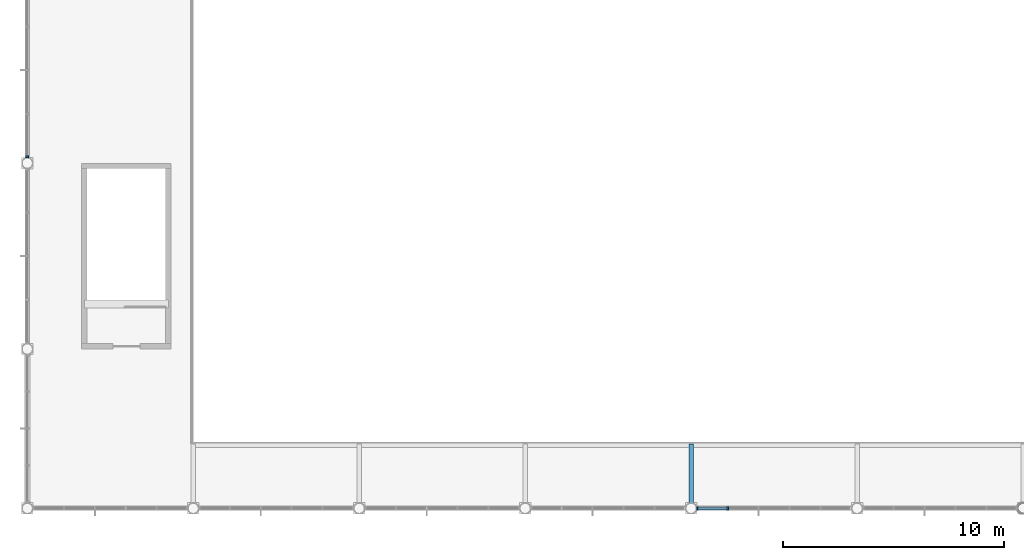
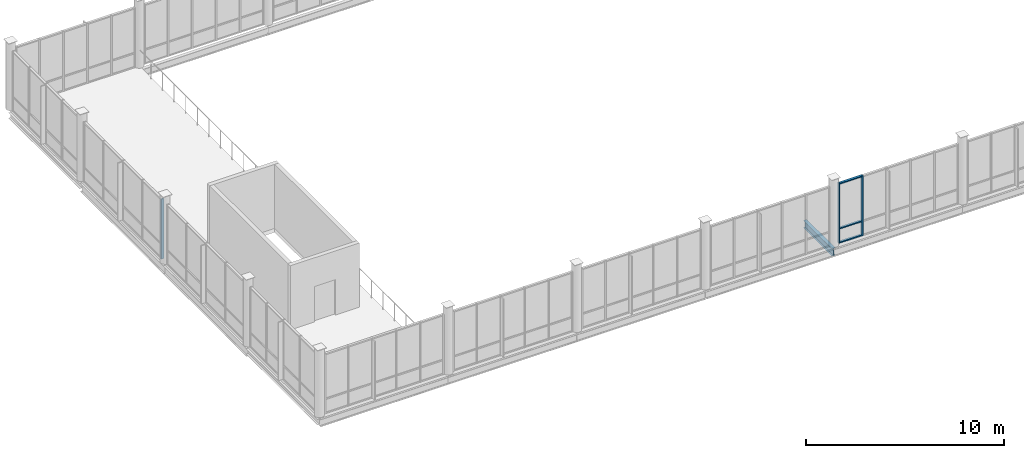
# One storey, part 17 of 75: 6 members, 1 beam, 2 elements without a shape of their own.
"""IFC4 building model written with IfcOpenShell, lengths in metres."""

from ifc_helpers import new_model, si_unit, direction, frame, origin, origin_2d, place, context, subcontext, project, spatial, rectangle, i_section, extrude, material, layer, layer_set, material_profile, profile_set, type_object, element, aggregate, save


model = new_model("IFC4")

# Units and contexts
model_context = context("Model", 3, precision=1e-05, world=origin(), true_north=direction((0.0, 1.0)))
body_context = subcontext(model_context, "Body", "Model", "MODEL_VIEW")
ifc_project = project(units=[si_unit("LENGTHUNIT", "METRE"), si_unit("AREAUNIT", "SQUARE_METRE"), si_unit("VOLUMEUNIT", "CUBIC_METRE"), si_unit("PLANEANGLEUNIT", "RADIAN"), si_unit("MASSUNIT", "GRAM", prefix="KILO")], contexts=[model_context])

# Site, building, storey
site_placement = place(None, origin())
site = spatial("IfcSite", under=ifc_project, at=site_placement, CompositionType="ELEMENT")
building_placement = place(site_placement, origin())
building = spatial("IfcBuilding", under=site, at=building_placement, Name="Yukiwa Park Conservatory and Herbarium", CompositionType="ELEMENT")
storey_placement = place(building_placement, frame((0.0, 0.0, 4.800048828125)))
storey = spatial("IfcBuildingStorey", under=building, at=storey_placement, Name="L01", CompositionType="ELEMENT", Elevation=4.800048828125)

# Beam
ifc_material_1 = material(Name="Steel Q355D", Category="steel")
ifc_material_profile = material_profile(ifc_material_1, i_section(OverallWidth=0.199951171875, OverallDepth=0.449951171875, WebThickness=0.009033203125, FlangeThickness=0.013916015625, FilletRadius=0.01806640625, at=origin_2d()), Name="HN 450x200x9x14")
ifc_profile_set = profile_set([ifc_material_profile], Name="Steel Q355D")
beam_type = type_object("IfcBeamType", Name="BM-GRD-HN450", PredefinedType="BEAM", material=ifc_profile_set)
beam_placement = place(storey_placement, frame((30.0, 0.006103515625, -0.465087890625), z_axis=(0.0, 1.0, 0.0), x_axis=(-1.0, 0.0, 0.0)))
element("IfcBeam", 1, at=beam_placement, inside=storey, type_object=beam_type, Name="Conservatory canopy walk cantilever bracket 4", PredefinedType="BEAM", context=body_context, shape_type="SweptSolid", body=[
    extrude(i_section(OverallWidth=0.199951171875, OverallDepth=0.449951171875, WebThickness=0.009033203125, FlangeThickness=0.013916015625, FilletRadius=0.01806640625, at=origin_2d()), origin(), (0.0, 0.0, 1.0), 2.893798828125),
])

# Curtain wall, members
ifc_material_2 = material(Name="Triple Low-E Insulated Glass", Category="glass")
ifc_layer_1 = layer(ifc_material_2, 0.152099609375)
ifc_layer_set_1 = layer_set([ifc_layer_1], Name="Triple Low-E Insulated Glass")
curtain_wall_type_1 = type_object("IfcCurtainWallType", Name="CW-CONSERVATORY-1500", PredefinedType="NOTDEFINED", material=ifc_layer_set_1)
curtain_wall_1_placement = place(storey_placement, origin())
curtain_wall_1 = element("IfcCurtainWall", 2, at=curtain_wall_1_placement, inside=storey, type_object=curtain_wall_type_1, Name="L01 unitised curtain wall CW-L01-030", PredefinedType="NOTDEFINED")
ifc_material_3 = material(Name="Anodised Aluminium", Category="aluminium")
member_type_1 = type_object("IfcMemberType", Name="MB-CW-MUL-70X150", PredefinedType="MULLION", material=ifc_material_3)
member_1_placement = place(storey_placement, frame((30.2890625, 0.0, 0.0), z_axis=(0.0, 0.0, 1.0), x_axis=(1.0, 0.0, 0.0)))
member_1 = element("IfcMember", 3, at=member_1_placement, type_object=member_type_1, Name="CW-L01-030 mullion 1", PredefinedType="MULLION", context=body_context, shape_type="SweptSolid", body=[
    extrude(rectangle(XDim=0.070068359375, YDim=0.14990234375, at=origin_2d()), origin(), (0.0, 0.0, 1.0), 3.699951171875),
])
member_2_placement = place(storey_placement, frame((31.65234375, 0.0, 0.0), z_axis=(0.0, 0.0, 1.0), x_axis=(1.0, 0.0, 0.0)))
member_2 = element("IfcMember", 4, at=member_2_placement, type_object=member_type_1, Name="CW-L01-030 mullion 2", PredefinedType="MULLION", context=body_context, shape_type="SweptSolid", body=[
    extrude(rectangle(XDim=0.070068359375, YDim=0.14990234375, at=origin_2d()), origin(), (0.0, 0.0, 1.0), 3.699951171875),
])

# Curtain wall, member
ifc_material_4 = material(Name="Triple Low-E Insulated Glass", Category="glass")
ifc_layer_2 = layer(ifc_material_4, 0.1640625)
ifc_layer_set_2 = layer_set([ifc_layer_2], Name="Triple Low-E Insulated Glass")
curtain_wall_type_2 = type_object("IfcCurtainWallType", Name="CW-CONSERVATORY-1875", PredefinedType="NOTDEFINED", material=ifc_layer_set_2)
curtain_wall_2_placement = place(storey_placement, origin())
curtain_wall_2 = element("IfcCurtainWall", 5, at=curtain_wall_2_placement, inside=storey, type_object=curtain_wall_type_2, Name="L01 unitised curtain wall CW-L01-059", PredefinedType="NOTDEFINED")
member_3_placement = place(storey_placement, frame((0.0, 15.888916015625, 0.0), z_axis=(0.0, 0.0, 1.0), x_axis=(0.0, -1.0, 0.0)))
member_3 = element("IfcMember", 6, at=member_3_placement, type_object=member_type_1, Name="CW-L01-059 mullion 5", PredefinedType="MULLION", context=body_context, shape_type="SweptSolid", body=[
    extrude(rectangle(XDim=0.070068359375, YDim=0.14990234375, at=origin_2d()), origin(), (0.0, 0.0, 1.0), 3.699951171875),
])
aggregate(curtain_wall_2, [member_3])

# Member
ifc_material_5 = material(Name="Anodised Aluminium", Category="aluminium")
member_type_2 = type_object("IfcMemberType", Name="MB-CW-TRN-70X130", PredefinedType="USERDEFINED", material=ifc_material_5)
member_4_placement = place(storey_placement, frame((30.953125, 0.0, 0.0), z_axis=(0.0, 0.0, 1.0), x_axis=(1.0, 0.0, 0.0)))
member_4 = element("IfcMember", 7, at=member_4_placement, type_object=member_type_2, Name="CW-L01-030 transom 1.1", ObjectType="TRANSOM", PredefinedType="USERDEFINED", context=body_context, shape_type="SweptSolid", body=[
    extrude(rectangle(XDim=1.328369140625, YDim=0.1298828125, at=origin_2d()), origin(), (0.0, 0.0, 1.0), 0.070068359375),
])

member_5_placement = place(storey_placement, frame((30.953125, 0.0, 0.86474609375), z_axis=(0.0, 0.0, 1.0), x_axis=(1.0, 0.0, 0.0)))
member_5 = element("IfcMember", 8, at=member_5_placement, type_object=member_type_2, Name="CW-L01-030 transom 1.2", ObjectType="TRANSOM", PredefinedType="USERDEFINED", context=body_context, shape_type="SweptSolid", body=[
    extrude(rectangle(XDim=1.328369140625, YDim=0.1298828125, at=origin_2d()), origin(), (0.0, 0.0, 1.0), 0.070068359375),
])

member_6_placement = place(storey_placement, frame((30.953125, 0.0, 3.6298828125), z_axis=(0.0, 0.0, 1.0), x_axis=(1.0, 0.0, 0.0)))
member_6 = element("IfcMember", 9, at=member_6_placement, type_object=member_type_2, Name="CW-L01-030 transom 1.3", ObjectType="TRANSOM", PredefinedType="USERDEFINED", context=body_context, shape_type="SweptSolid", body=[
    extrude(rectangle(XDim=1.328369140625, YDim=0.1298828125, at=origin_2d()), origin(), (0.0, 0.0, 1.0), 0.070068359375),
])

aggregate(curtain_wall_1, [member_1, member_2, member_4, member_5, member_6])

save(model, "model.ifc")
